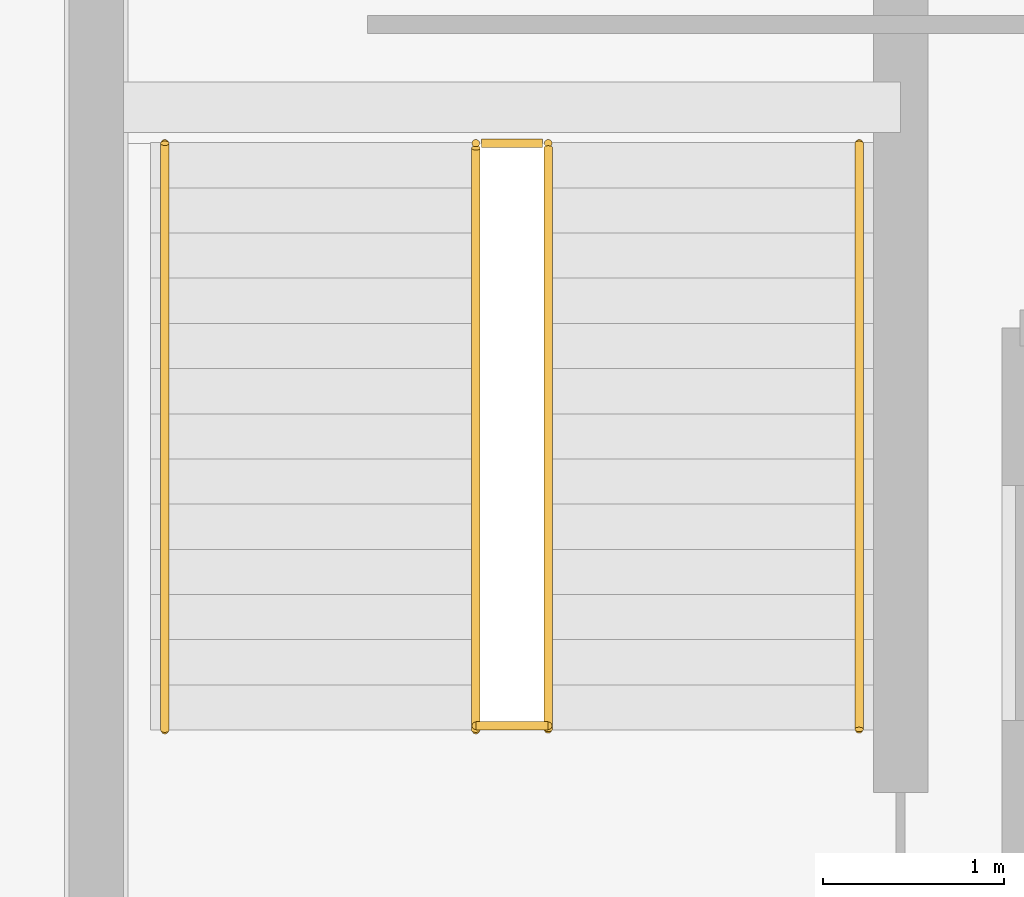
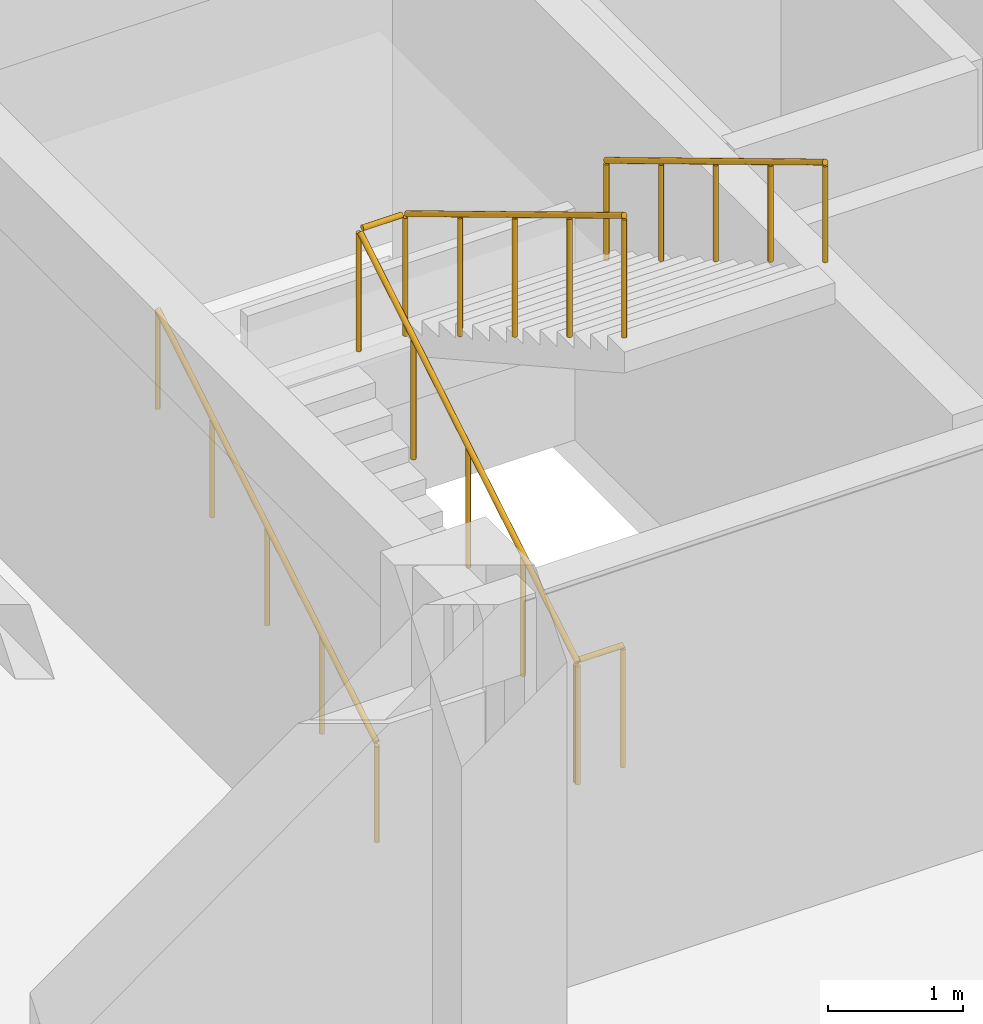
# One storey, part 146 of 156: 4 railings.
"""IFC4 building model written with IfcOpenShell, lengths in metres."""

from ifc_helpers import new_model, si_unit, direction, frame, origin, origin_2d, place, context, subcontext, project, spatial, circle, extrude, material, type_object, element, save


model = new_model("IFC4")

# Units and contexts
model_context = context("Model", 3, precision=1e-05, world=origin(), true_north=direction((0.0, 1.0)))
body_context = subcontext(model_context, "Body", "Model", "MODEL_VIEW")
ifc_project = project(units=[si_unit("LENGTHUNIT", "METRE"), si_unit("AREAUNIT", "SQUARE_METRE"), si_unit("VOLUMEUNIT", "CUBIC_METRE"), si_unit("PLANEANGLEUNIT", "RADIAN"), si_unit("MASSUNIT", "GRAM", prefix="KILO")], contexts=[model_context])

# Site, building, storey
site_placement = place(None, origin())
site = spatial("IfcSite", under=ifc_project, at=site_placement, CompositionType="ELEMENT")
building_placement = place(site_placement, origin())
building = spatial("IfcBuilding", under=site, at=building_placement, Name="Ornek Quay Market", CompositionType="ELEMENT")
storey_placement = place(building_placement, frame((0.0, 0.0, 4.5)))
storey = spatial("IfcBuildingStorey", under=building, at=storey_placement, Name="L01", CompositionType="ELEMENT", Elevation=4.5)

# Railings
ifc_material = material(Name="Brushed stainless steel 316", Category="steel")
railing_type_1 = type_object("IfcRailingType", Name="RL-GUARD-STAIR-1100", PredefinedType="GUARDRAIL", material=ifc_material)
railing_1_placement = place(storey_placement, frame((119.10009765625, 31.1201171875, 0.0)))
element("IfcRailing", 1, at=railing_1_placement, inside=storey, type_object=railing_type_1, Name="Railing GR-03-032", PredefinedType="GUARDRAIL", context=body_context, shape_type="SweptSolid", body=[
    extrude(circle(Radius=0.02392578125, at=origin_2d()), frame((0.0, 0.0, 1.09619140625), z_axis=(1.0, 0.0, 0.0), x_axis=(0.0, 1.0, 0.0)), (0.0, 0.0, 1.0), 0.39990234375),
    extrude(circle(Radius=0.02099609375, at=origin_2d()), origin(), (0.0, 0.0, 1.0), 1.068115234375),
    extrude(circle(Radius=0.02099609375, at=origin_2d()), frame((0.39990234375, 0.0, 0.0)), (0.0, 0.0, 1.0), 1.068115234375),
])
railing_2_placement = place(storey_placement, frame((119.10009765625, 31.095947265625, 0.0)))
element("IfcRailing", 2, at=railing_2_placement, inside=storey, type_object=railing_type_1, Name="Railing GR-03-033", PredefinedType="GUARDRAIL", context=body_context, shape_type="SweptSolid", body=[
    extrude(circle(Radius=0.02392578125, at=origin_2d()), frame((0.0, 0.0, 1.09619140625), z_axis=(0.0, 0.857225438961, 0.514941304226), x_axis=(-1.0, 0.0, 0.0)), (0.0, 0.0, 1.0), 3.7568359375),
    extrude(circle(Radius=0.02392578125, at=origin_2d()), frame((0.030029296875, 3.24609375, 3.0458984375), z_axis=(1.0, 0.0, 0.0), x_axis=(0.0, 1.0, 0.0)), (0.0, 0.0, 1.0), 0.33984375),
    extrude(circle(Radius=0.02392578125, at=origin_2d()), frame((0.39990234375, 3.220458984375, 3.0615234375), z_axis=(0.0, -0.856934400257, 0.515425487977), x_axis=(1.0, 0.0, 0.0)), (0.0, 0.0, 1.0), 3.753173828125),
    extrude(circle(Radius=0.02099609375, at=origin_2d()), origin(), (0.0, 0.0, 1.0), 1.068115234375),
    extrude(circle(Radius=0.02099609375, at=origin_2d()), frame((0.0, 0.8115234375, 0.487548828125)), (0.0, 0.0, 1.0), 1.068115234375),
    extrude(circle(Radius=0.02099609375, at=origin_2d()), frame((0.0, 1.623046875, 0.97509765625)), (0.0, 0.0, 1.0), 1.068115234375),
    extrude(circle(Radius=0.02099609375, at=origin_2d()), frame((0.0, 2.4345703125, 1.46240234375)), (0.0, 0.0, 1.0), 1.068115234375),
    extrude(circle(Radius=0.02099609375, at=origin_2d()), frame((0.0, 3.24609375, 1.949951171875)), (0.0, 0.0, 1.0), 1.068115234375),
    extrude(circle(Radius=0.02099609375, at=origin_2d()), frame((0.39990234375, 3.24609375, 1.949951171875)), (0.0, 0.0, 1.0), 1.068115234375),
    extrude(circle(Radius=0.02099609375, at=origin_2d()), frame((0.39990234375, 2.435546875, 2.4375)), (0.0, 0.0, 1.0), 1.068115234375),
    extrude(circle(Radius=0.02099609375, at=origin_2d()), frame((0.39990234375, 1.625, 2.9248046875)), (0.0, 0.0, 1.0), 1.068115234375),
    extrude(circle(Radius=0.02099609375, at=origin_2d()), frame((0.39990234375, 0.814697265625, 3.412353515625)), (0.0, 0.0, 1.0), 1.068115234375),
    extrude(circle(Radius=0.02099609375, at=origin_2d()), frame((0.39990234375, 0.004150390625, 3.89990234375)), (0.0, 0.0, 1.0), 1.068115234375),
])
railing_type_2 = type_object("IfcRailingType", Name="RL-HANDRAIL-920", PredefinedType="HANDRAIL", material=ifc_material)
railing_3_placement = place(storey_placement, frame((117.3798828125, 31.095947265625, 0.080078125)))
element("IfcRailing", 3, at=railing_3_placement, inside=storey, type_object=railing_type_2, Name="Railing HR-01-034", PredefinedType="HANDRAIL", context=body_context, shape_type="SweptSolid", body=[
    extrude(circle(Radius=0.02392578125, at=origin_2d()), frame((0.0, 0.0, 0.89599609375), z_axis=(0.0, 0.857225438961, 0.514941304226), x_axis=(-1.0, 0.0, 0.0)), (0.0, 0.0, 1.0), 3.786865234375),
    extrude(circle(Radius=0.02099609375, at=origin_2d()), origin(), (0.0, 0.0, 1.0), 0.867919921875),
    extrude(circle(Radius=0.02099609375, at=origin_2d()), frame((0.0, 0.8115234375, 0.487548828125)), (0.0, 0.0, 1.0), 0.867919921875),
    extrude(circle(Radius=0.02099609375, at=origin_2d()), frame((0.0, 1.623046875, 0.97509765625)), (0.0, 0.0, 1.0), 0.867919921875),
    extrude(circle(Radius=0.02099609375, at=origin_2d()), frame((0.0, 2.4345703125, 1.46240234375)), (0.0, 0.0, 1.0), 0.867919921875),
    extrude(circle(Radius=0.02099609375, at=origin_2d()), frame((0.0, 3.24609375, 1.949951171875)), (0.0, 0.0, 1.0), 0.867919921875),
])
railing_4_placement = place(storey_placement, frame((121.219970703125, 34.342041015625, 2.030029296875)))
element("IfcRailing", 4, at=railing_4_placement, inside=storey, type_object=railing_type_2, Name="Railing HR-01-035", PredefinedType="HANDRAIL", context=body_context, shape_type="SweptSolid", body=[
    extrude(circle(Radius=0.02392578125, at=origin_2d()), frame((0.0, 0.0, 0.89599609375), z_axis=(0.0, -0.856934400257, 0.515425487977), x_axis=(1.0, 0.0, 0.0)), (0.0, 0.0, 1.0), 3.783203125),
    extrude(circle(Radius=0.02099609375, at=origin_2d()), origin(), (0.0, 0.0, 1.0), 0.867919921875),
    extrude(circle(Radius=0.02099609375, at=origin_2d()), frame((0.0, -0.810546875, 0.487548828125)), (0.0, 0.0, 1.0), 0.867919921875),
    extrude(circle(Radius=0.02099609375, at=origin_2d()), frame((0.0, -1.62109375, 0.97509765625)), (0.0, 0.0, 1.0), 0.867919921875),
    extrude(circle(Radius=0.02099609375, at=origin_2d()), frame((0.0, -2.431396484375, 1.46240234375)), (0.0, 0.0, 1.0), 0.867919921875),
    extrude(circle(Radius=0.02099609375, at=origin_2d()), frame((0.0, -3.241943359375, 1.949951171875)), (0.0, 0.0, 1.0), 0.867919921875),
])

save(model, "model.ifc")
